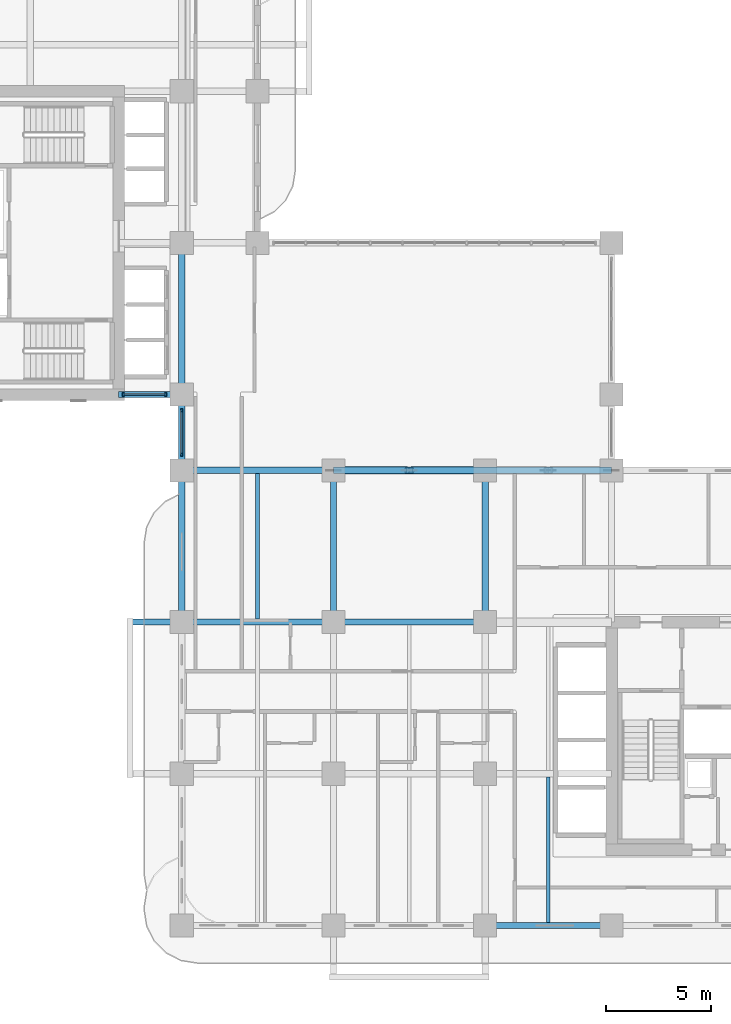
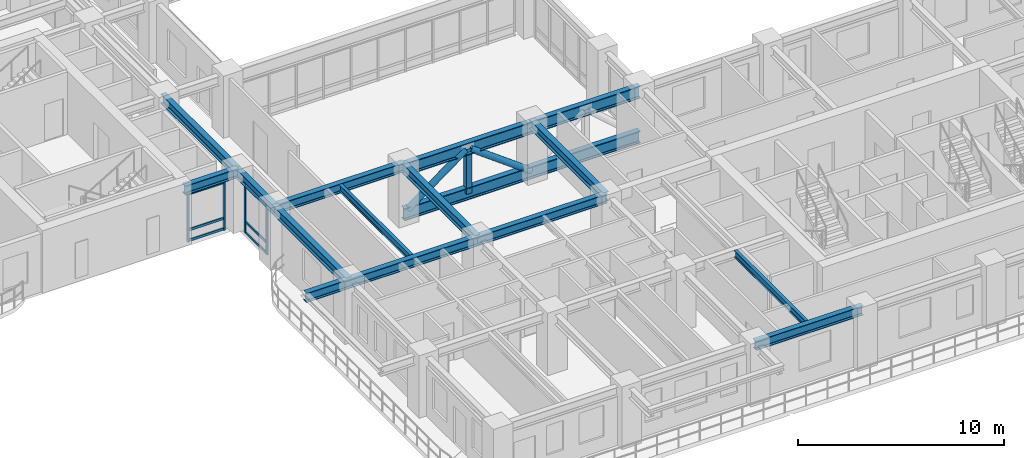
# One storey, part 2 of 21: 15 members, 12 beams, 2 elements without a shape of their own.
"""IFC4 building model written with IfcOpenShell, lengths in metres."""

from ifc_helpers import new_model, si_unit, derived_unit, direction, frame, origin, origin_2d, place, context, subcontext, project, spatial, rectangle, hollow_rectangle, hollow_circle, i_section, extrude, source, transform, mapped, material, layer, layer_set, material_profile, profile_set, type_object, type_shapes, element, aggregate, save


model = new_model("IFC4")

# Units and contexts
model_context = context("Model", 3, precision=1e-05, world=origin(), true_north=direction((0.0, 1.0)))
body_context = subcontext(model_context, "Body", "Model", "MODEL_VIEW")
ifc_project = project(units=[si_unit("LENGTHUNIT", "METRE"), si_unit("AREAUNIT", "SQUARE_METRE"), si_unit("VOLUMEUNIT", "CUBIC_METRE"), si_unit("PLANEANGLEUNIT", "RADIAN"), si_unit("MASSUNIT", "GRAM", prefix="KILO"), si_unit("THERMODYNAMICTEMPERATUREUNIT", "KELVIN"), si_unit("POWERUNIT", "WATT"), derived_unit("THERMALTRANSMITTANCEUNIT", [(si_unit("POWERUNIT", "WATT"), 1), (si_unit("AREAUNIT", "SQUARE_METRE"), -1), (si_unit("THERMODYNAMICTEMPERATUREUNIT", "KELVIN"), -1)])], contexts=[model_context])

# Site, building, storey
site_placement = place(None, origin())
site = spatial("IfcSite", under=ifc_project, at=site_placement, CompositionType="ELEMENT")
building_placement = place(site_placement, origin())
building = spatial("IfcBuilding", under=site, at=building_placement, Name="Zahravan Archway Hotel and Residences", CompositionType="ELEMENT")
storey_placement = place(building_placement, frame((0.0, 0.0, 65.699951171875)))
storey = spatial("IfcBuildingStorey", under=building, at=storey_placement, Name="L15", CompositionType="ELEMENT", Elevation=65.699951171875)

# Beams
ifc_material_1 = material(Name="Structural Steel S355JR", Category="steel")
ifc_material_profile_1 = material_profile(ifc_material_1, i_section(OverallWidth=0.300048828125, OverallDepth=0.550048828125, WebThickness=0.014892578125, FlangeThickness=0.029052734375, FilletRadius=0.027099609375, at=origin_2d()), Name="HEB 550", Category="steel")
ifc_profile_set_1 = profile_set([ifc_material_profile_1], Name="Structural Steel S355JR")
beam_type_1 = type_object("IfcBeamType", Name="BM-PRI-HEB550", PredefinedType="BEAM", material=ifc_profile_set_1)
shared_shape_1 = source(origin(), body_context, "Body", "SweptSolid", [
    extrude(i_section(OverallWidth=0.300048828125, OverallDepth=0.550048828125, WebThickness=0.014892578125, FlangeThickness=0.029052734375, FilletRadius=0.027099609375, at=origin_2d()), origin(), (0.0, 0.0, 1.0), 7.2001953125),
])
type_shapes(beam_type_1, [shared_shape_1])
for number, where, z_axis, x_axis, name in (
    (1, (14.39990234375, 21.60009765625, 3.175048828125), (1.0, 0.0, 0.0), (0.0, 1.0, 0.0), "L15 Primary Girder EW-14"),
    (2, (14.39990234375, 14.39990234375, 3.175048828125), (0.0, 1.0, 0.0), (-1.0, 0.0, 0.0), "L15 Primary Girder NS-32"),
    (3, (21.60009765625, 14.39990234375, 3.175048828125), (0.0, 1.0, 0.0), (-1.0, 0.0, 0.0), "L15 Primary Girder NS-39"),
    (4, (28.800048828125, 14.39990234375, 3.175048828125), (0.0, 1.0, 0.0), (-1.0, 0.0, 0.0), "L15 Primary Girder NS-42"),
):
    element("IfcBeam", number, at=place(storey_placement, frame(where, z_axis=z_axis, x_axis=x_axis)), inside=storey, type_object=beam_type_1, Name=name, PredefinedType="BEAM", context=body_context, shape_type="MappedRepresentation", body=[
        mapped(shared_shape_1, transform((0.0, 0.0, 0.0), scale=1.0)),
    ])
shared_shape_2 = source(origin(), body_context, "Body", "SweptSolid", [
    extrude(i_section(OverallWidth=0.300048828125, OverallDepth=0.550048828125, WebThickness=0.014892578125, FlangeThickness=0.029052734375, FilletRadius=0.027099609375, at=origin_2d()), origin(), (0.0, 0.0, 1.0), 7.199951171875),
])
for number, where, z_axis, x_axis, name in (
    (5, (21.60009765625, 14.39990234375, 3.175048828125), (1.0, 0.0, 0.0), (0.0, 1.0, 0.0), "L15 Primary Girder EW-12"),
    (6, (14.39990234375, 25.199951171875, 3.175048828125), (0.0, 1.0, 0.0), (-1.0, 0.0, 0.0), "L15 Primary Girder NS-34"),
):
    element("IfcBeam", number, at=place(storey_placement, frame(where, z_axis=z_axis, x_axis=x_axis)), inside=storey, type_object=beam_type_1, Name=name, PredefinedType="BEAM", context=body_context, shape_type="MappedRepresentation", body=[
        mapped(shared_shape_2, transform((0.0, 0.0, 0.0), scale=1.0)),
    ])
shared_shape_3 = source(origin(), body_context, "Body", "SweptSolid", [
    extrude(i_section(OverallWidth=0.300048828125, OverallDepth=0.550048828125, WebThickness=0.014892578125, FlangeThickness=0.029052734375, FilletRadius=0.027099609375, at=origin_2d()), origin(), (0.0, 0.0, 1.0), 6.0),
])
beam_1_placement = place(storey_placement, frame((28.800048828125, 0.0, 3.175048828125), z_axis=(1.0, 0.0, 0.0), x_axis=(0.0, 1.0, 0.0)))
element("IfcBeam", 7, at=beam_1_placement, inside=storey, type_object=beam_type_1, Name="L15 Primary Girder EW-03", PredefinedType="BEAM", context=body_context, shape_type="MappedRepresentation", body=[
    mapped(shared_shape_3, transform((0.0, 0.0, 0.0), scale=1.0)),
])
shared_shape_4 = source(origin(), body_context, "Body", "SweptSolid", [
    extrude(i_section(OverallWidth=0.300048828125, OverallDepth=0.550048828125, WebThickness=0.014892578125, FlangeThickness=0.029052734375, FilletRadius=0.027099609375, at=origin_2d()), origin(), (0.0, 0.0, 1.0), 3.0),
])
beam_2_placement = place(storey_placement, frame((11.39990234375, 25.199951171875, 3.175048828125), z_axis=(1.0, 0.0, 0.0), x_axis=(0.0, 1.0, 0.0)))
element("IfcBeam", 8, at=beam_2_placement, inside=storey, type_object=beam_type_1, Name="L15 Primary Girder EW-18", PredefinedType="BEAM", context=body_context, shape_type="MappedRepresentation", body=[
    mapped(shared_shape_4, transform((0.0, 0.0, 0.0), scale=1.0)),
])
shared_shape_5 = source(origin(), body_context, "Body", "SweptSolid", [
    extrude(i_section(OverallWidth=0.300048828125, OverallDepth=0.550048828125, WebThickness=0.014892578125, FlangeThickness=0.029052734375, FilletRadius=0.027099609375, at=origin_2d()), origin(), (0.0, 0.0, 1.0), 3.599853515625),
])
beam_3_placement = place(storey_placement, frame((14.39990234375, 21.60009765625, 3.175048828125), z_axis=(0.0, 1.0, 0.0), x_axis=(-1.0, 0.0, 0.0)))
element("IfcBeam", 9, at=beam_3_placement, inside=storey, type_object=beam_type_1, Name="L15 Primary Girder NS-33", PredefinedType="BEAM", context=body_context, shape_type="MappedRepresentation", body=[
    mapped(shared_shape_5, transform((0.0, 0.0, 0.0), scale=1.0)),
])
ifc_material_profile_2 = material_profile(ifc_material_1, i_section(OverallWidth=0.179931640625, OverallDepth=0.39990234375, WebThickness=0.008544921875, FlangeThickness=0.013427734375, FilletRadius=0.02099609375, at=origin_2d()), Name="IPE 400", Category="steel")
ifc_profile_set_2 = profile_set([ifc_material_profile_2], Name="Structural Steel S355JR")
beam_type_2 = type_object("IfcBeamType", Name="BM-JST-IPE400", PredefinedType="JOIST", material=ifc_profile_set_2)
shared_shape_6 = source(origin(), body_context, "Body", "SweptSolid", [
    extrude(i_section(OverallWidth=0.179931640625, OverallDepth=0.39990234375, WebThickness=0.008544921875, FlangeThickness=0.013427734375, FilletRadius=0.02099609375, at=origin_2d()), origin(), (0.0, 0.0, 1.0), 6.904052734375),
])
type_shapes(beam_type_2, [shared_shape_6])
beam_4_placement = place(storey_placement, frame((31.800048828125, 0.14794921875, 3.25), z_axis=(0.0, 1.0, 0.0), x_axis=(-1.0, 0.0, 0.0)))
element("IfcBeam", 10, at=beam_4_placement, inside=storey, type_object=beam_type_2, Name="L15 Composite Floor Joist 03", PredefinedType="JOIST", context=body_context, shape_type="MappedRepresentation", body=[
    mapped(shared_shape_6, transform((0.0, 0.0, 0.0), scale=1.0)),
])
shared_shape_7 = source(origin(), body_context, "Body", "SweptSolid", [
    extrude(i_section(OverallWidth=0.179931640625, OverallDepth=0.39990234375, WebThickness=0.008544921875, FlangeThickness=0.013427734375, FilletRadius=0.02099609375, at=origin_2d()), origin(), (0.0, 0.0, 1.0), 6.90380859375),
])
beam_5_placement = place(storey_placement, frame((18.0, 14.548095703125, 3.25), z_axis=(0.0, 1.0, 0.0), x_axis=(-1.0, 0.0, 0.0)))
element("IfcBeam", 11, at=beam_5_placement, inside=storey, type_object=beam_type_2, Name="L15 Composite Floor Joist 09", PredefinedType="JOIST", context=body_context, shape_type="MappedRepresentation", body=[
    mapped(shared_shape_7, transform((0.0, 0.0, 0.0), scale=1.0)),
])
shared_shape_8 = source(origin(), body_context, "Body", "SweptSolid", [
    extrude(i_section(OverallWidth=0.300048828125, OverallDepth=0.550048828125, WebThickness=0.014892578125, FlangeThickness=0.029052734375, FilletRadius=0.027099609375, at=origin_2d()), origin(), (0.0, 0.0, 1.0), 9.650146484375),
])
beam_6_placement = place(storey_placement, frame((11.949951171875, 14.39990234375, 3.175048828125), z_axis=(1.0, 0.0, 0.0), x_axis=(0.0, 1.0, 0.0)))
element("IfcBeam", 12, at=beam_6_placement, inside=storey, type_object=beam_type_1, Name="L15 Primary Girder EW-11", PredefinedType="BEAM", context=body_context, shape_type="MappedRepresentation", body=[
    mapped(shared_shape_8, transform((0.0, 0.0, 0.0), scale=1.0)),
])

# Members
ifc_material_2 = material(Name="Structural Steel S460M", Category="steel")
ifc_material_profile_3 = material_profile(ifc_material_2, i_section(OverallWidth=0.303955078125, OverallDepth=0.716064453125, WebThickness=0.02099609375, FlangeThickness=0.0400390625, FilletRadius=0.027099609375, at=origin_2d()), Name="HEM 700", Category="steel")
ifc_profile_set_3 = profile_set([ifc_material_profile_3], Name="Structural Steel S460M")
member_type_1 = type_object("IfcMemberType", Name="MEM-CHD-HEM700", PredefinedType="CHORD", material=ifc_profile_set_3)
shared_shape_9 = source(origin(), body_context, "Body", "SweptSolid", [
    extrude(i_section(OverallWidth=0.303955078125, OverallDepth=0.716064453125, WebThickness=0.02099609375, FlangeThickness=0.0400390625, FilletRadius=0.027099609375, at=origin_2d()), origin(), (0.0, 0.0, 1.0), 13.199951171875),
])
type_shapes(member_type_1, [shared_shape_9])
for number, where, z_axis, x_axis, name in (
    (13, (21.60009765625, 21.60009765625, 3.0), (1.0, 0.0, 0.0), (0.0, 1.0, 0.0), "L15 Sky-Bridge Truss Top Chord"),
    (14, (21.60009765625, 21.60009765625, 0.35009765625), (1.0, 0.0, 0.0), (0.0, 1.0, 0.0), "L15 Sky-Bridge Truss Bottom Chord"),
):
    element("IfcMember", number, at=place(storey_placement, frame(where, z_axis=z_axis, x_axis=x_axis)), inside=storey, type_object=member_type_1, Name=name, PredefinedType="CHORD", context=body_context, shape_type="MappedRepresentation", body=[
        mapped(shared_shape_9, transform((0.0, 0.0, 0.0), scale=1.0)),
    ])
ifc_material_3 = material(Name="Structural Steel S355J2", Category="steel")
ifc_material_profile_4 = material_profile(ifc_material_3, hollow_circle(Radius=0.177734375, WallThickness=0.01611328125, at=origin_2d()), Name="CHS 355.6x16", Category="steel")
ifc_profile_set_4 = profile_set([ifc_material_profile_4], Name="Structural Steel S355J2")
member_type_2 = type_object("IfcMemberType", Name="MEM-DIAG-CHS355", PredefinedType="BRACE", material=ifc_profile_set_4)
shared_shape_10 = source(origin(), body_context, "Body", "SweptSolid", [
    extrude(hollow_circle(Radius=0.177734375, WallThickness=0.01611328125, at=origin_2d()), origin(), (0.0, 0.0, 1.0), 4.05029296875),
])
type_shapes(member_type_2, [shared_shape_10])
member_1_placement = place(storey_placement, frame((21.825439453125, 21.60009765625, 0.51611328125), z_axis=(0.805370856199, 0.0, 0.592771274595), x_axis=(0.0, 1.0, 0.0)))
element("IfcMember", 15, at=member_1_placement, inside=storey, type_object=member_type_2, Name="L15 Sky-Bridge Truss Diagonal 1", PredefinedType="BRACE", context=body_context, shape_type="MappedRepresentation", body=[
    mapped(shared_shape_10, transform((0.0, 0.0, 0.0), scale=1.0)),
])
shared_shape_11 = source(origin(), body_context, "Body", "SweptSolid", [
    extrude(hollow_circle(Radius=0.177734375, WallThickness=0.01611328125, at=origin_2d()), origin(), (0.0, 0.0, 1.0), 4.190185546875),
])
member_2_placement = place(storey_placement, frame((25.312744140625, 21.60009765625, 2.9169921875), z_axis=(0.805351564938, 0.0, -0.592797483843), x_axis=(0.0, 1.0, 0.0)))
element("IfcMember", 16, at=member_2_placement, inside=storey, type_object=member_type_2, Name="L15 Sky-Bridge Truss Diagonal 2", PredefinedType="BRACE", context=body_context, shape_type="MappedRepresentation", body=[
    mapped(shared_shape_11, transform((0.0, 0.0, 0.0), scale=1.0)),
])
ifc_material_profile_5 = material_profile(ifc_material_3, hollow_rectangle(XDim=0.300048828125, YDim=0.300048828125, WallThickness=0.01611328125, at=origin_2d()), Name="SHS 300x300x16", Category="steel")
ifc_profile_set_5 = profile_set([ifc_material_profile_5], Name="Structural Steel S355J2")
member_type_3 = type_object("IfcMemberType", Name="MEM-POST-SHS300", PredefinedType="POST", material=ifc_profile_set_5)
shared_shape_12 = source(origin(), body_context, "Body", "SweptSolid", [
    extrude(hollow_rectangle(XDim=0.300048828125, YDim=0.300048828125, WallThickness=0.01611328125, at=origin_2d()), origin(), (0.0, 0.0, 1.0), 2.64990234375),
])
type_shapes(member_type_3, [shared_shape_12])
member_3_placement = place(storey_placement, frame((25.199951171875, 21.60009765625, 0.35009765625), z_axis=(0.0, 0.0, 1.0), x_axis=(1.0, 0.0, 0.0)))
element("IfcMember", 17, at=member_3_placement, inside=storey, type_object=member_type_3, Name="L15 Sky-Bridge Truss Post 1", PredefinedType="POST", context=body_context, shape_type="MappedRepresentation", body=[
    mapped(shared_shape_12, transform((0.0, 0.0, 0.0), scale=1.0)),
])

# Curtain wall, members
ifc_material_4 = material(Name="Bronze-Anodized Unitised Aluminium & Low-E Glass", Category="aluminium")
ifc_layer = layer(ifc_material_4, 0.179931640625, Name="Bronze-Anodized Unitised Aluminium & Low-E Glass", Category="aluminium")
ifc_layer_set = layer_set([ifc_layer], Name="Bronze-Anodized Unitised Aluminium & Low-E Glass")
curtain_wall_type = type_object("IfcCurtainWallType", Name="CW-SBG-1", PredefinedType="NOTDEFINED", material=ifc_layer_set)
curtain_wall_1_placement = place(storey_placement, origin())
curtain_wall_1 = element("IfcCurtainWall", 18, at=curtain_wall_1_placement, inside=storey, type_object=curtain_wall_type, Name="L15 Curtain Wall CW-L15-WA-WLU-1", PredefinedType="NOTDEFINED")
ifc_material_5 = material(Name="Bronze-Anodized Extruded Aluminium", Category="aluminium")
ifc_material_profile_6 = material_profile(ifc_material_5, rectangle(XDim=0.080078125, YDim=0.159912109375, at=origin_2d()), Name="MUL 80x160", Category="aluminium")
ifc_profile_set_6 = profile_set([ifc_material_profile_6], Name="Bronze-Anodized Extruded Aluminium")
member_type_4 = type_object("IfcMemberType", Name="CWM-MUL-160", PredefinedType="MULLION", material=ifc_profile_set_6)
shared_shape_13 = source(origin(), body_context, "Body", "SweptSolid", [
    extrude(rectangle(XDim=0.080078125, YDim=0.159912109375, at=origin_2d()), origin(), (0.0, 0.0, 1.0), 2.885009765625),
])
member_4_placement = place(storey_placement, frame((14.39990234375, 22.360107421875, 0.0), z_axis=(0.0, 0.0, 1.0), x_axis=(1.0, 0.0, 0.0)))
member_4 = element("IfcMember", 19, at=member_4_placement, type_object=member_type_4, Name="CW-L15-WA-WLU-1 Mullion 0", PredefinedType="MULLION", context=body_context, shape_type="MappedRepresentation", body=[
    mapped(shared_shape_13, transform((0.0, 0.0, 0.0), scale=1.0)),
])
member_5_placement = place(storey_placement, frame((14.39990234375, 24.43994140625, 0.0), z_axis=(0.0, 0.0, 1.0), x_axis=(1.0, 0.0, 0.0)))
member_5 = element("IfcMember", 20, at=member_5_placement, type_object=member_type_4, Name="CW-L15-WA-WLU-1 Mullion 1", PredefinedType="MULLION", context=body_context, shape_type="MappedRepresentation", body=[
    mapped(shared_shape_13, transform((0.0, 0.0, 0.0), scale=1.0)),
])

curtain_wall_2_placement = place(storey_placement, origin())
curtain_wall_2 = element("IfcCurtainWall", 21, at=curtain_wall_2_placement, inside=storey, type_object=curtain_wall_type, Name="L15 Curtain Wall CW-L15-WB-SE-1", PredefinedType="NOTDEFINED")
member_6_placement = place(storey_placement, frame((11.6201171875, 25.199951171875, 0.0), z_axis=(0.0, 0.0, 1.0), x_axis=(1.0, 0.0, 0.0)))
member_6 = element("IfcMember", 22, at=member_6_placement, type_object=member_type_4, Name="CW-L15-WB-SE-1 Mullion 0", PredefinedType="MULLION", context=body_context, shape_type="MappedRepresentation", body=[
    mapped(shared_shape_13, transform((0.0, 0.0, 0.0), scale=1.0)),
])
member_7_placement = place(storey_placement, frame((13.639892578125, 25.199951171875, 0.0), z_axis=(0.0, 0.0, 1.0), x_axis=(1.0, 0.0, 0.0)))
member_7 = element("IfcMember", 23, at=member_7_placement, type_object=member_type_4, Name="CW-L15-WB-SE-1 Mullion 1", PredefinedType="MULLION", context=body_context, shape_type="MappedRepresentation", body=[
    mapped(shared_shape_13, transform((0.0, 0.0, 0.0), scale=1.0)),
])
ifc_material_profile_7 = material_profile(ifc_material_5, rectangle(XDim=0.080078125, YDim=0.139892578125, at=origin_2d()), Name="TRN 80x140", Category="aluminium")
ifc_profile_set_7 = profile_set([ifc_material_profile_7], Name="Bronze-Anodized Extruded Aluminium")
member_type_5 = type_object("IfcMemberType", Name="CWM-TRN-140", PredefinedType="USERDEFINED", material=ifc_profile_set_7)
shared_shape_14 = source(origin(), body_context, "Body", "SweptSolid", [
    extrude(rectangle(XDim=0.080078125, YDim=0.139892578125, at=origin_2d()), origin(), (0.0, 0.0, 1.0), 1.940185546875),
])
member_8_placement = place(storey_placement, frame((11.659912109375, 25.199951171875, 0.070068359375), z_axis=(1.0, 0.0, 0.0), x_axis=(0.0, 1.0, 0.0)))
member_8 = element("IfcMember", 24, at=member_8_placement, type_object=member_type_5, Name="CW-L15-WB-SE-1 Transom 0-1", ObjectType="TRANSOM", PredefinedType="USERDEFINED", context=body_context, shape_type="MappedRepresentation", body=[
    mapped(shared_shape_14, transform((0.0, 0.0, 0.0), scale=1.0)),
])
member_9_placement = place(storey_placement, frame((11.659912109375, 25.199951171875, 0.6923828125), z_axis=(1.0, 0.0, 0.0), x_axis=(0.0, 1.0, 0.0)))
member_9 = element("IfcMember", 25, at=member_9_placement, type_object=member_type_5, Name="CW-L15-WB-SE-1 Transom 0-2", ObjectType="TRANSOM", PredefinedType="USERDEFINED", context=body_context, shape_type="MappedRepresentation", body=[
    mapped(shared_shape_14, transform((0.0, 0.0, 0.0), scale=1.0)),
])
member_10_placement = place(storey_placement, frame((11.659912109375, 25.199951171875, 2.81494140625), z_axis=(1.0, 0.0, 0.0), x_axis=(0.0, 1.0, 0.0)))
member_10 = element("IfcMember", 26, at=member_10_placement, type_object=member_type_5, Name="CW-L15-WB-SE-1 Transom 0-3", ObjectType="TRANSOM", PredefinedType="USERDEFINED", context=body_context, shape_type="MappedRepresentation", body=[
    mapped(shared_shape_14, transform((0.0, 0.0, 0.0), scale=1.0)),
])
aggregate(curtain_wall_2, [member_6, member_7, member_8, member_9, member_10])

# Member
shared_shape_15 = source(origin(), body_context, "Body", "SweptSolid", [
    extrude(rectangle(XDim=0.080078125, YDim=0.139892578125, at=origin_2d()), origin(), (0.0, 0.0, 1.0), 2.0),
])
member_11_placement = place(storey_placement, frame((14.39990234375, 22.39990234375, 0.070068359375), z_axis=(0.0, 1.0, 0.0), x_axis=(-1.0, 0.0, 0.0)))
member_11 = element("IfcMember", 27, at=member_11_placement, type_object=member_type_5, Name="CW-L15-WA-WLU-1 Transom 0-1", ObjectType="TRANSOM", PredefinedType="USERDEFINED", context=body_context, shape_type="MappedRepresentation", body=[
    mapped(shared_shape_15, transform((0.0, 0.0, 0.0), scale=1.0)),
])

member_12_placement = place(storey_placement, frame((14.39990234375, 22.39990234375, 0.6923828125), z_axis=(0.0, 1.0, 0.0), x_axis=(-1.0, 0.0, 0.0)))
member_12 = element("IfcMember", 28, at=member_12_placement, type_object=member_type_5, Name="CW-L15-WA-WLU-1 Transom 0-2", ObjectType="TRANSOM", PredefinedType="USERDEFINED", context=body_context, shape_type="MappedRepresentation", body=[
    mapped(shared_shape_15, transform((0.0, 0.0, 0.0), scale=1.0)),
])

member_13_placement = place(storey_placement, frame((14.39990234375, 22.39990234375, 2.81494140625), z_axis=(0.0, 1.0, 0.0), x_axis=(-1.0, 0.0, 0.0)))
member_13 = element("IfcMember", 29, at=member_13_placement, type_object=member_type_5, Name="CW-L15-WA-WLU-1 Transom 0-3", ObjectType="TRANSOM", PredefinedType="USERDEFINED", context=body_context, shape_type="MappedRepresentation", body=[
    mapped(shared_shape_15, transform((0.0, 0.0, 0.0), scale=1.0)),
])

aggregate(curtain_wall_1, [member_4, member_5, member_11, member_12, member_13])

save(model, "model.ifc")
